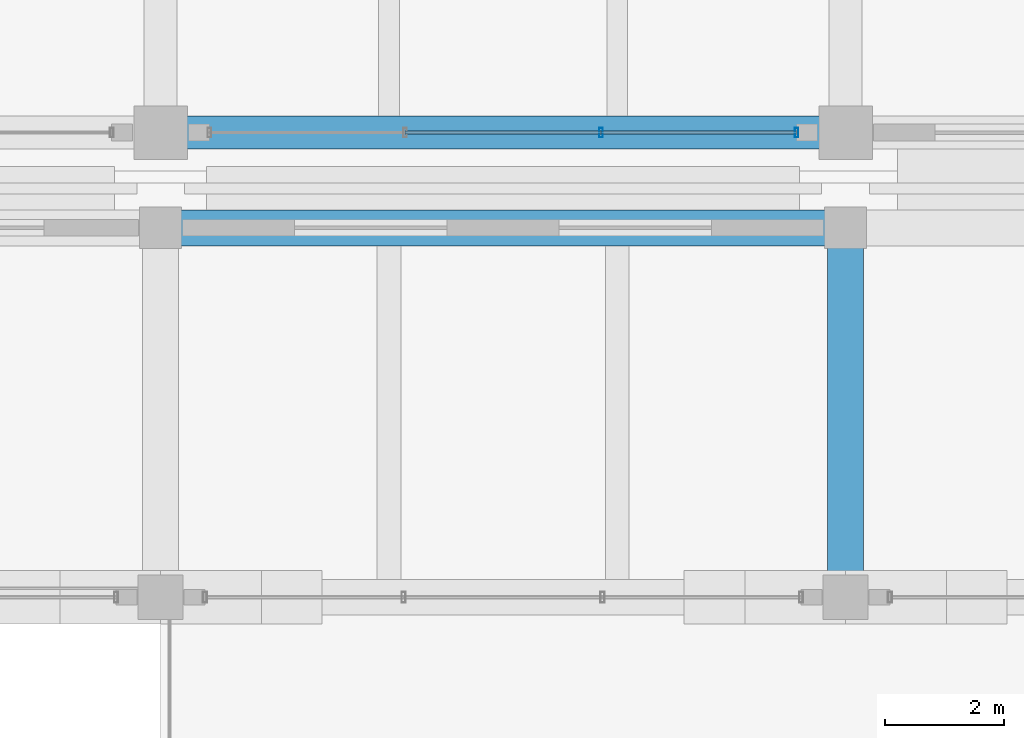
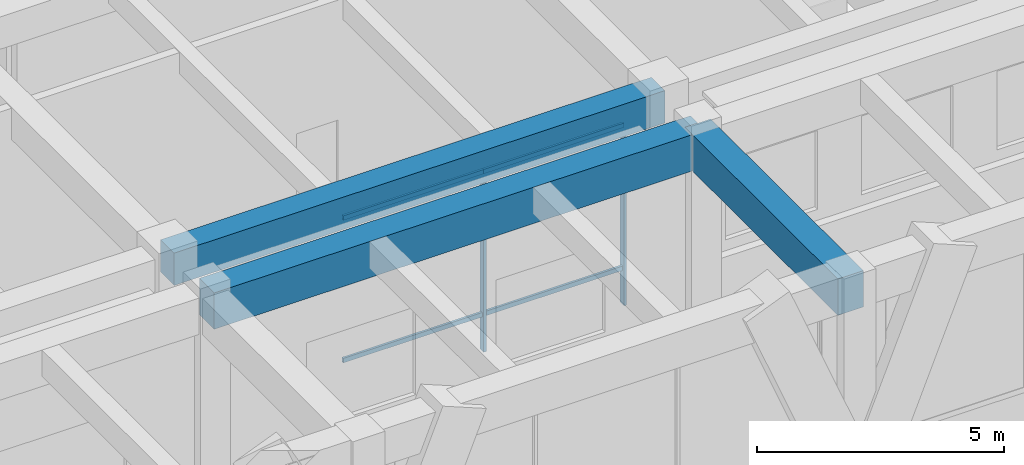
# One storey, part 56 of 148: 6 members, 3 beams, 1 element without a shape of its own.
"""IFC4 building model written with IfcOpenShell, lengths in metres."""

from ifc_helpers import new_model, si_unit, direction, frame, origin, origin_2d, place, context, subcontext, project, spatial, rectangle, hollow_rectangle, extrude, material, material_profile, profile_set, type_object, element, aggregate, save


model = new_model("IFC4")

# Units and contexts
model_context = context("Model", 3, precision=1e-05, world=origin(), true_north=direction((0.0, 1.0)))
body_context = subcontext(model_context, "Body", "Model", "MODEL_VIEW")
ifc_project = project(units=[si_unit("LENGTHUNIT", "METRE"), si_unit("AREAUNIT", "SQUARE_METRE"), si_unit("VOLUMEUNIT", "CUBIC_METRE"), si_unit("PLANEANGLEUNIT", "RADIAN"), si_unit("MASSUNIT", "GRAM", prefix="KILO")], contexts=[model_context])

# Site, building, storey
site_placement = place(None, origin())
site = spatial("IfcSite", under=ifc_project, at=site_placement, CompositionType="ELEMENT")
building_placement = place(site_placement, origin())
building = spatial("IfcBuilding", under=site, at=building_placement, Name="Ologun Quay Terminus", CompositionType="ELEMENT")
storey_placement = place(building_placement, frame((0.0, 0.0, 8.39990234375)))
storey = spatial("IfcBuildingStorey", under=building, at=storey_placement, Name="L02", CompositionType="ELEMENT", Elevation=8.39990234375)

# Curtain wall, members
ifc_material_1 = material(Name="Aluminium 6063-T6", Category="aluminium")
curtain_wall_type = type_object("IfcCurtainWallType", Name="Waterfront Pavilion Harbour Curtain Wall L02 10500x5000", PredefinedType="USERDEFINED", material=ifc_material_1)
curtain_wall_placement = place(storey_placement, origin())
curtain_wall = element("IfcCurtainWall", 1, at=curtain_wall_placement, inside=storey, type_object=curtain_wall_type, Name="CW-24 Curtain Wall CW-L02-104", ObjectType="UNITISED CURTAIN WALL", PredefinedType="USERDEFINED")
ifc_material_2 = material(Name="Aluminium 6063-T6", Category="aluminium")
ifc_material_profile_1 = material_profile(ifc_material_2, hollow_rectangle(XDim=0.06005859375, YDim=0.159912109375, WallThickness=0.00390625, at=origin_2d()), Name="ALU 160x60x4")
ifc_profile_set_1 = profile_set([ifc_material_profile_1], Name="Aluminium 6063-T6")
member_type_1 = type_object("IfcMemberType", Name="Courtyard Screen Mullion 160x65", PredefinedType="MULLION", material=ifc_profile_set_1)
member_1_placement = place(storey_placement, frame((41.893310546875, 85.800048828125, 0.0), z_axis=(0.0, 0.0, 1.0), x_axis=(1.0, 0.0, 0.0)))
member_1 = element("IfcMember", 2, at=member_1_placement, type_object=member_type_1, Name="CW-L02-104 Mullion 3", PredefinedType="MULLION", context=body_context, shape_type="SweptSolid", body=[
    extrude(hollow_rectangle(XDim=0.06005859375, YDim=0.159912109375, WallThickness=0.00390625, at=origin_2d()), origin(), (0.0, 0.0, 1.0), 5.130126953125),
])
member_2_placement = place(storey_placement, frame((45.179931640625, 85.800048828125, 0.0), z_axis=(0.0, 0.0, 1.0), x_axis=(1.0, 0.0, 0.0)))
member_2 = element("IfcMember", 3, at=member_2_placement, type_object=member_type_1, Name="CW-L02-104 Mullion 4", PredefinedType="MULLION", context=body_context, shape_type="SweptSolid", body=[
    extrude(hollow_rectangle(XDim=0.06005859375, YDim=0.159912109375, WallThickness=0.00390625, at=origin_2d()), origin(), (0.0, 0.0, 1.0), 5.130126953125),
])
ifc_material_3 = material(Name="Aluminium 6063-T6", Category="aluminium")
ifc_material_profile_2 = material_profile(ifc_material_3, hollow_rectangle(XDim=0.054931640625, YDim=0.110107421875, WallThickness=0.00390625, at=origin_2d()), Name="ALU 110x55x4")
ifc_profile_set_2 = profile_set([ifc_material_profile_2], Name="Aluminium 6063-T6")
member_type_2 = type_object("IfcMemberType", Name="Courtyard Screen Transom 110x55", PredefinedType="USERDEFINED", material=ifc_profile_set_2)
member_3_placement = place(storey_placement, frame((38.606689453125, 85.800048828125, 0.900146484375), z_axis=(1.0, 0.0, 0.0), x_axis=(0.0, 1.0, 0.0)))
member_3 = element("IfcMember", 4, at=member_3_placement, type_object=member_type_2, Name="CW-L02-104 Transom B2-1", ObjectType="TRANSOM", PredefinedType="USERDEFINED", context=body_context, shape_type="SweptSolid", body=[
    extrude(hollow_rectangle(XDim=0.054931640625, YDim=0.110107421875, WallThickness=0.00390625, at=origin_2d()), origin(), (0.0, 0.0, 1.0), 3.28662109375),
])
member_4_placement = place(storey_placement, frame((38.606689453125, 85.800048828125, 4.43017578125), z_axis=(1.0, 0.0, 0.0), x_axis=(0.0, 1.0, 0.0)))
member_4 = element("IfcMember", 5, at=member_4_placement, type_object=member_type_2, Name="CW-L02-104 Transom B2-2", ObjectType="TRANSOM", PredefinedType="USERDEFINED", context=body_context, shape_type="SweptSolid", body=[
    extrude(hollow_rectangle(XDim=0.054931640625, YDim=0.110107421875, WallThickness=0.00390625, at=origin_2d()), origin(), (0.0, 0.0, 1.0), 3.28662109375),
])
member_5_placement = place(storey_placement, frame((41.893310546875, 85.800048828125, 0.900146484375), z_axis=(1.0, 0.0, 0.0), x_axis=(0.0, 1.0, 0.0)))
member_5 = element("IfcMember", 6, at=member_5_placement, type_object=member_type_2, Name="CW-L02-104 Transom B3-1", ObjectType="TRANSOM", PredefinedType="USERDEFINED", context=body_context, shape_type="SweptSolid", body=[
    extrude(hollow_rectangle(XDim=0.054931640625, YDim=0.110107421875, WallThickness=0.00390625, at=origin_2d()), origin(), (0.0, 0.0, 1.0), 3.28662109375),
])
member_6_placement = place(storey_placement, frame((41.893310546875, 85.800048828125, 4.43017578125), z_axis=(1.0, 0.0, 0.0), x_axis=(0.0, 1.0, 0.0)))
member_6 = element("IfcMember", 7, at=member_6_placement, type_object=member_type_2, Name="CW-L02-104 Transom B3-2", ObjectType="TRANSOM", PredefinedType="USERDEFINED", context=body_context, shape_type="SweptSolid", body=[
    extrude(hollow_rectangle(XDim=0.054931640625, YDim=0.110107421875, WallThickness=0.00390625, at=origin_2d()), origin(), (0.0, 0.0, 1.0), 3.28662109375),
])
aggregate(curtain_wall, [member_1, member_2, member_3, member_4, member_5, member_6])

# Beams
ifc_material_4 = material(Name="Concrete C40/50", Category="concrete")
ifc_material_profile_3 = material_profile(ifc_material_4, rectangle(XDim=0.550048828125, YDim=0.800048828125, at=origin_2d()), Name="RC 550x800")
ifc_profile_set_3 = profile_set([ifc_material_profile_3], Name="Concrete C40/50")
beam_type_1 = type_object("IfcBeamType", Name="Courtyard Wing Primary Girder 550x800", PredefinedType="BEAM", material=ifc_profile_set_3)
beam_1_placement = place(storey_placement, frame((34.5, 85.800048828125, 4.75), z_axis=(1.0, 0.0, 0.0), x_axis=(0.0, 1.0, 0.0)))
element("IfcBeam", 8, at=beam_1_placement, inside=storey, type_object=beam_type_1, Name="B4 Beam 4/G2 L02", PredefinedType="BEAM", context=body_context, shape_type="SweptSolid", body=[
    extrude(rectangle(XDim=0.550048828125, YDim=0.800048828125, at=origin_2d()), origin(), (0.0, 0.0, 1.0), 11.5),
])
ifc_material_5 = material(Name="Concrete C40/50", Category="concrete")
ifc_material_profile_4 = material_profile(ifc_material_5, rectangle(XDim=0.60009765625, YDim=0.89990234375, at=origin_2d()), Name="RC 600x900")
ifc_profile_set_4 = profile_set([ifc_material_profile_4], Name="Concrete C40/50")
beam_type_2 = type_object("IfcBeamType", Name="Station Frame Girder 600x900", PredefinedType="BEAM", material=ifc_profile_set_4)
beam_2_placement = place(storey_placement, frame((34.5, 84.199951171875, 4.7001953125), z_axis=(1.0, 0.0, 0.0), x_axis=(0.0, 1.0, 0.0)))
element("IfcBeam", 9, at=beam_2_placement, inside=storey, type_object=beam_type_2, Name="B3 Beam 4/G1 L02", PredefinedType="BEAM", context=body_context, shape_type="SweptSolid", body=[
    extrude(rectangle(XDim=0.60009765625, YDim=0.89990234375, at=origin_2d()), origin(), (0.0, 0.0, 1.0), 11.5),
])
beam_3_placement = place(storey_placement, frame((46.0, 78.0, 4.7001953125), z_axis=(0.0, 1.0, 0.0), x_axis=(-1.0, 0.0, 0.0)))
element("IfcBeam", 10, at=beam_3_placement, inside=storey, type_object=beam_type_2, Name="B3 Beam 5/F L02", PredefinedType="BEAM", context=body_context, shape_type="SweptSolid", body=[
    extrude(rectangle(XDim=0.60009765625, YDim=0.89990234375, at=origin_2d()), origin(), (0.0, 0.0, 1.0), 6.199951171875),
])

save(model, "model.ifc")
